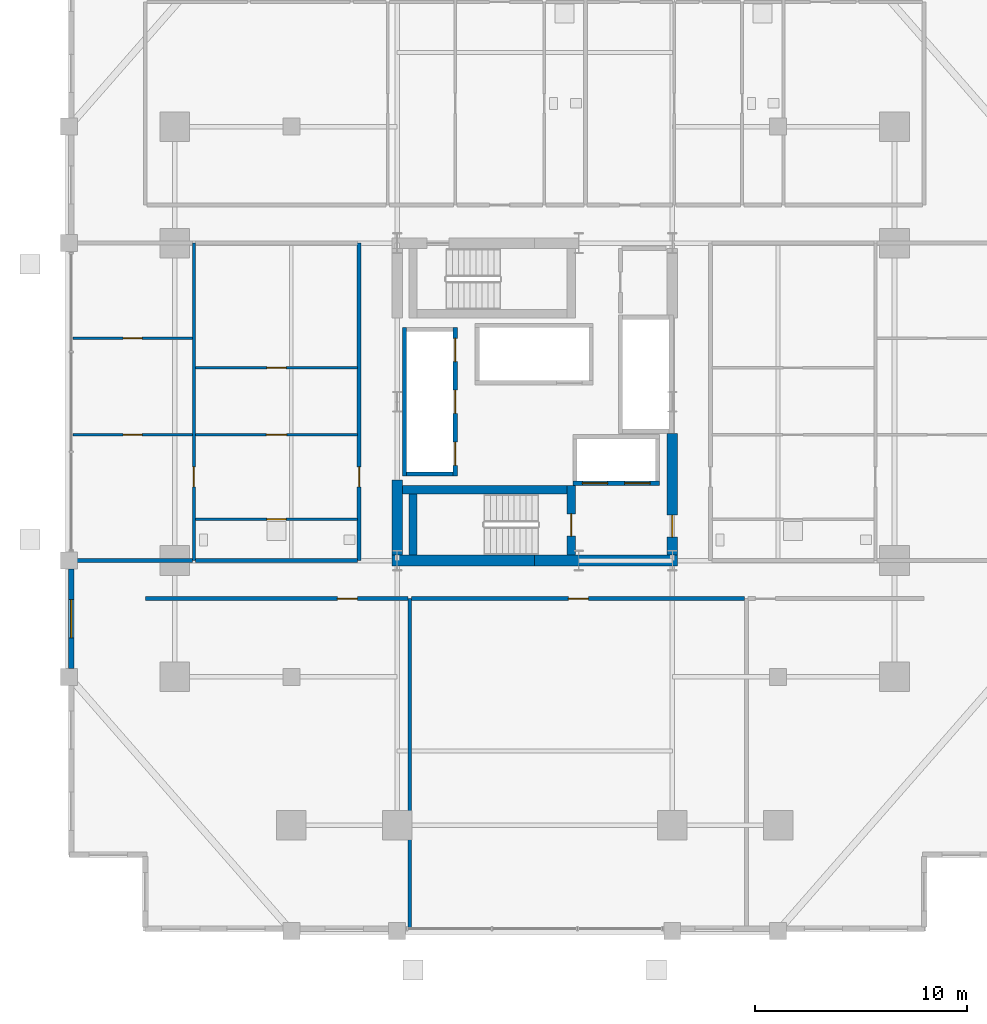
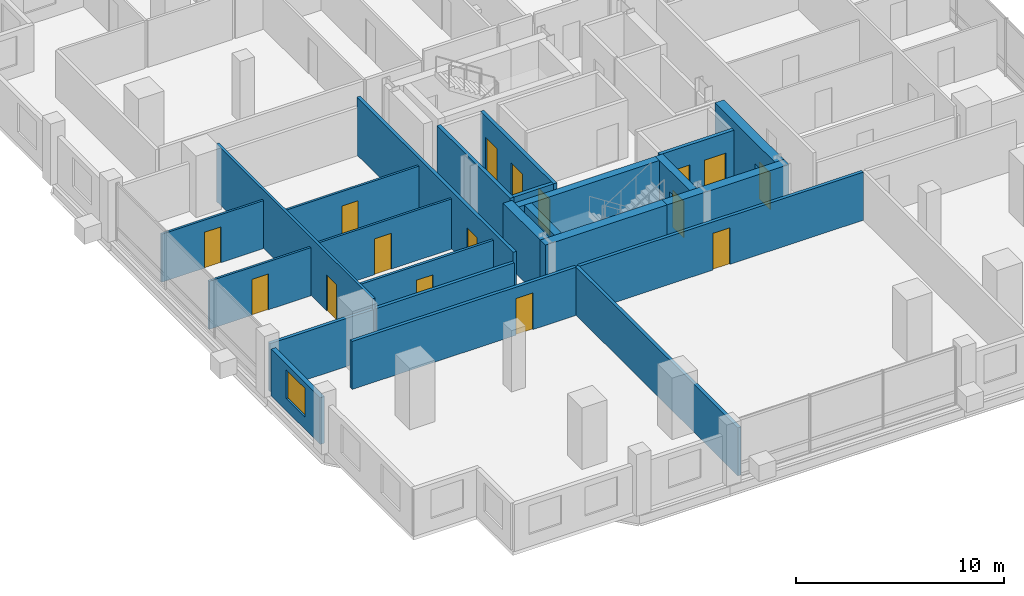
# One storey, part 17 of 23: 24 walls, 16 doors, 1 window, 17 openings.
"""IFC4 building model written with IfcOpenShell, lengths in metres."""

from ifc_helpers import new_model, si_unit, direction, frame, frame_2d, origin, place, context, subcontext, project, spatial, rectangle, extrude, material, layer, layer_set, type_object, element, fill, save


model = new_model("IFC4")

# Units and contexts
model_context = context("Model", 3, precision=1e-05, world=origin(), true_north=direction((0.0, 1.0)))
body_context = subcontext(model_context, "Body", "Model", "MODEL_VIEW")
ifc_project = project(units=[si_unit("LENGTHUNIT", "METRE"), si_unit("AREAUNIT", "SQUARE_METRE"), si_unit("VOLUMEUNIT", "CUBIC_METRE"), si_unit("PLANEANGLEUNIT", "RADIAN"), si_unit("MASSUNIT", "GRAM", prefix="KILO")], contexts=[model_context])

# Site, building, storey
site_placement = place(None, origin())
site = spatial("IfcSite", under=ifc_project, at=site_placement, CompositionType="ELEMENT")
building_placement = place(site_placement, origin())
building = spatial("IfcBuilding", under=site, at=building_placement, Name="Barlavira Tower and Art Museum", CompositionType="ELEMENT")
storey_placement = place(building_placement, frame((0.0, 0.0, 64.800048828125)))
storey = spatial("IfcBuildingStorey", under=building, at=storey_placement, Name="L15", CompositionType="ELEMENT", Elevation=64.800048828125)

# Wall, opening, door
ifc_material_1 = material(Name="Gypsum acoustic stud partition", Category="gypsum")
ifc_layer_1 = layer(ifc_material_1, 0.1201171875, Name="Gypsum acoustic stud partition")
ifc_layer_set_1 = layer_set([ifc_layer_1], Name="Gypsum acoustic stud partition")
wall_type_1 = type_object("IfcWallType", Name="Apartment Internal Acoustic Partition 120", PredefinedType="PARTITIONING", material=ifc_layer_set_1)
wall_1_placement = place(storey_placement, frame((-21.820068359375, -1.550048828125, 0.0), z_axis=(0.0, 0.0, 1.0), x_axis=(1.0, 0.0, 0.0)))
wall_1 = element("IfcWall", 1, at=wall_1_placement, inside=storey, type_object=wall_type_1, Name="L15 Partition Wall 30", PredefinedType="PARTITIONING", context=body_context, shape_type="SweptSolid", body=[
    extrude(rectangle(XDim=5.64013671875, YDim=0.1201171875, at=frame_2d((2.820068359375, 0.0))), origin(), (0.0, 0.0, 1.0), 2.81591796875),
])
opening_1_placement = place(wall_1_placement, frame((2.3701171875, 0.0, 0.0)))
opening_1 = element("IfcOpeningElement", 2, at=opening_1_placement, cuts=wall_1, Name="Opening D-01", PredefinedType="OPENING", context=body_context, shape_type="SweptSolid", body=[
    extrude(rectangle(XDim=0.89990234375, YDim=2.10009765625, at=frame_2d((0.449951171875, 1.050048828125))), frame((0.0, 0.070068359375, 0.0), z_axis=(0.0, -1.0, 0.0), x_axis=(1.0, 0.0, 0.0)), (0.0, 0.0, 1.0), 0.14013671875),
])
ifc_material_2 = material(Name="Engineered coastal hardwood", Category="wood")
door_type_1 = type_object("IfcDoorType", Name="Internal Bedroom Timber Flush Door 900x2100", OperationType="NOTDEFINED", PredefinedType="DOOR", material=ifc_material_2)
door_1_placement = place(opening_1_placement, origin())
door_1 = element("IfcDoor", 3, at=door_1_placement, inside=storey, type_object=door_type_1, Name="Apartment W1 Bedroom 1 Door", OperationType="SINGLE_SWING_LEFT", OverallHeight=2.10009765625, OverallWidth=0.89990234375, PredefinedType="DOOR", context=body_context, shape_type="SweptSolid", body=[
    extrude(rectangle(XDim=0.89990234375, YDim=2.10009765625, at=frame_2d((0.449951171875, 1.050048828125))), frame((0.0, 0.02490234375, 0.0), z_axis=(0.0, -1.0, 0.0), x_axis=(1.0, 0.0, 0.0)), (0.0, 0.0, 1.0), 0.050048828125),
])
fill(opening_1, door_1)

wall_2_placement = place(storey_placement, frame((-16.02001953125, -1.550048828125, 0.0), z_axis=(0.0, 0.0, 1.0), x_axis=(1.0, 0.0, 0.0)))
wall_2 = element("IfcWall", 4, at=wall_2_placement, inside=storey, type_object=wall_type_1, Name="L15 Partition Wall 31", PredefinedType="PARTITIONING", context=body_context, shape_type="SweptSolid", body=[
    extrude(rectangle(XDim=7.64013671875, YDim=0.1201171875, at=frame_2d((3.820068359375, 0.0))), origin(), (0.0, 0.0, 1.0), 2.947998046875),
])
opening_2_placement = place(wall_2_placement, frame((3.344970703125, 0.0, 0.0)))
opening_2 = element("IfcOpeningElement", 5, at=opening_2_placement, cuts=wall_2, Name="Opening D-02", PredefinedType="OPENING", context=body_context, shape_type="SweptSolid", body=[
    extrude(rectangle(XDim=0.949951171875, YDim=2.10009765625, at=frame_2d((0.47509765625, 1.050048828125))), frame((0.0, 0.070068359375, 0.0), z_axis=(0.0, -1.0, 0.0), x_axis=(1.0, 0.0, 0.0)), (0.0, 0.0, 1.0), 0.14013671875),
])
door_type_2 = type_object("IfcDoorType", Name="Living and Salon Glazed-Leaf Door 950x2100", OperationType="NOTDEFINED", PredefinedType="DOOR", material=ifc_material_2)
door_2_placement = place(opening_2_placement, origin())
door_2 = element("IfcDoor", 6, at=door_2_placement, inside=storey, type_object=door_type_2, Name="Apartment W1 Kitchen Door", OperationType="SINGLE_SWING_RIGHT", OverallHeight=2.10009765625, OverallWidth=0.949951171875, PredefinedType="DOOR", context=body_context, shape_type="SweptSolid", body=[
    extrude(rectangle(XDim=0.949951171875, YDim=2.10009765625, at=frame_2d((0.47509765625, 1.050048828125))), frame((0.0, 0.02490234375, 0.0), z_axis=(0.0, -1.0, 0.0), x_axis=(1.0, 0.0, 0.0)), (0.0, 0.0, 1.0), 0.050048828125),
])
fill(opening_2, door_2)

wall_3_placement = place(storey_placement, frame((-16.02001953125, 1.60009765625, 0.0), z_axis=(0.0, 0.0, 1.0), x_axis=(1.0, 0.0, 0.0)))
wall_3 = element("IfcWall", 7, at=wall_3_placement, inside=storey, type_object=wall_type_1, Name="L15 Partition Wall 34", PredefinedType="PARTITIONING", context=body_context, shape_type="SweptSolid", body=[
    extrude(rectangle(XDim=7.64013671875, YDim=0.1201171875, at=frame_2d((3.820068359375, 0.0))), origin(), (0.0, 0.0, 1.0), 2.947998046875),
])
opening_3_placement = place(wall_3_placement, frame((3.3701171875, 0.0, 0.0)))
opening_3 = element("IfcOpeningElement", 8, at=opening_3_placement, cuts=wall_3, Name="Opening D-01", PredefinedType="OPENING", context=body_context, shape_type="SweptSolid", body=[
    extrude(rectangle(XDim=0.89990234375, YDim=2.10009765625, at=frame_2d((0.449951171875, 1.050048828125))), frame((0.0, 0.070068359375, 0.0), z_axis=(0.0, -1.0, 0.0), x_axis=(1.0, 0.0, 0.0)), (0.0, 0.0, 1.0), 0.14013671875),
])
door_3_placement = place(opening_3_placement, origin())
door_3 = element("IfcDoor", 9, at=door_3_placement, inside=storey, type_object=door_type_1, Name="Apartment W1 Walk-In Dressing Room Door", OperationType="SINGLE_SWING_LEFT", OverallHeight=2.10009765625, OverallWidth=0.89990234375, PredefinedType="DOOR", context=body_context, shape_type="SweptSolid", body=[
    extrude(rectangle(XDim=0.89990234375, YDim=2.10009765625, at=frame_2d((0.449951171875, 1.050048828125))), frame((0.0, 0.02490234375, 0.0), z_axis=(0.0, -1.0, 0.0), x_axis=(1.0, 0.0, 0.0)), (0.0, 0.0, 1.0), 0.050048828125),
])
fill(opening_3, door_3)

wall_4_placement = place(storey_placement, frame((-21.820068359375, 3.0, 0.0), z_axis=(0.0, 0.0, 1.0), x_axis=(1.0, 0.0, 0.0)))
wall_4 = element("IfcWall", 10, at=wall_4_placement, inside=storey, type_object=wall_type_1, Name="L15 Partition Wall 36", PredefinedType="PARTITIONING", context=body_context, shape_type="SweptSolid", body=[
    extrude(rectangle(XDim=5.64013671875, YDim=0.1201171875, at=frame_2d((2.820068359375, 0.0))), origin(), (0.0, 0.0, 1.0), 2.81591796875),
])
opening_4_placement = place(wall_4_placement, frame((2.3701171875, 0.0, 0.0)))
opening_4 = element("IfcOpeningElement", 11, at=opening_4_placement, cuts=wall_4, Name="Opening D-01", PredefinedType="OPENING", context=body_context, shape_type="SweptSolid", body=[
    extrude(rectangle(XDim=0.89990234375, YDim=2.10009765625, at=frame_2d((0.449951171875, 1.050048828125))), frame((0.0, 0.070068359375, 0.0), z_axis=(0.0, -1.0, 0.0), x_axis=(1.0, 0.0, 0.0)), (0.0, 0.0, 1.0), 0.14013671875),
])
door_4_placement = place(opening_4_placement, origin())
door_4 = element("IfcDoor", 12, at=door_4_placement, inside=storey, type_object=door_type_1, Name="Apartment W1 Bedroom 2 Door", OperationType="SINGLE_SWING_RIGHT", OverallHeight=2.10009765625, OverallWidth=0.89990234375, PredefinedType="DOOR", context=body_context, shape_type="SweptSolid", body=[
    extrude(rectangle(XDim=0.89990234375, YDim=2.10009765625, at=frame_2d((0.449951171875, 1.050048828125))), frame((0.0, 0.02490234375, 0.0), z_axis=(0.0, -1.0, 0.0), x_axis=(1.0, 0.0, 0.0)), (0.0, 0.0, 1.0), 0.050048828125),
])
fill(opening_4, door_4)

# Walls
ifc_material_3 = material(Name="Concrete C60", Category="concrete")
ifc_layer_2 = layer(ifc_material_3, 0.5, Name="Concrete C60")
ifc_layer_set_2 = layer_set([ifc_layer_2], Name="Concrete C60")
wall_type_2 = type_object("IfcWallType", Name="Core Structural Shear Wall 500 Concrete C60", PredefinedType="SHEAR", material=ifc_layer_set_2)
for number, where, z_axis, x_axis, name in (
    (13, (-6.75, -7.5, 0.0), (0.0, 0.0, 1.0), (1.0, 0.0, 0.0), "L15 Core Shear Wall CS-SW"),
    (14, (0.0, -7.5, 0.0), (0.0, 0.0, 1.0), (1.0, 0.0, 0.0), "L15 Core Shear Wall CS-SE"),
):
    element("IfcWall", number, at=place(storey_placement, frame(where, z_axis=z_axis, x_axis=x_axis)), inside=storey, type_object=wall_type_2, Name=name, PredefinedType="SHEAR", context=body_context, shape_type="SweptSolid", body=[
        extrude(rectangle(XDim=6.75, YDim=0.5, at=frame_2d((3.375, 0.0))), origin(), (0.0, 0.0, 1.0), 3.3798828125),
    ])
wall_5_placement = place(storey_placement, frame((-6.5, -7.25, 0.0), z_axis=(0.0, 0.0, 1.0), x_axis=(0.0, 1.0, 0.0)))
element("IfcWall", 15, at=wall_5_placement, inside=storey, type_object=wall_type_2, Name="L15 Core Shear Wall CS-W1", PredefinedType="SHEAR", context=body_context, shape_type="SweptSolid", body=[
    extrude(rectangle(XDim=3.550048828125, YDim=0.5, at=frame_2d((1.77490234375, 0.0))), origin(), (0.0, 0.0, 1.0), 3.3798828125),
])

# Wall, opening, door
wall_6_placement = place(storey_placement, frame((6.5, -7.25, 0.0), z_axis=(0.0, 0.0, 1.0), x_axis=(0.0, 1.0, 0.0)))
wall_6 = element("IfcWall", 16, at=wall_6_placement, inside=storey, type_object=wall_type_2, Name="L15 Core Shear Wall CS-E1", PredefinedType="SHEAR", context=body_context, shape_type="SweptSolid", body=[
    extrude(rectangle(XDim=5.75, YDim=0.5, at=frame_2d((2.875, 0.0))), origin(), (0.0, 0.0, 1.0), 3.3798828125),
])
opening_5_placement = place(wall_6_placement, frame((0.85009765625, 0.0, 0.0)))
opening_5 = element("IfcOpeningElement", 17, at=opening_5_placement, cuts=wall_6, Name="Opening FD-90", PredefinedType="OPENING", context=body_context, shape_type="SweptSolid", body=[
    extrude(rectangle(XDim=1.050048828125, YDim=2.14990234375, at=frame_2d((0.52490234375, 1.074951171875))), frame((0.0, 0.260009765625, 0.0), z_axis=(0.0, -1.0, 0.0), x_axis=(1.0, 0.0, 0.0)), (0.0, 0.0, 1.0), 0.52001953125),
])
ifc_material_4 = material(Name="Brushed stainless steel", Category="steel")
door_type_3 = type_object("IfcDoorType", Name="Stair and Refuge Fire Door 1050x2150 FD90S", OperationType="NOTDEFINED", PredefinedType="DOOR", material=ifc_material_4)
door_5_placement = place(opening_5_placement, origin())
door_5 = element("IfcDoor", 18, at=door_5_placement, inside=storey, type_object=door_type_3, Name="L15 Firefighting Lobby Entry Fire Door", OperationType="SINGLE_SWING_LEFT", OverallHeight=2.14990234375, OverallWidth=1.050048828125, PredefinedType="DOOR", context=body_context, shape_type="SweptSolid", body=[
    extrude(rectangle(XDim=1.050048828125, YDim=2.14990234375, at=frame_2d((0.52490234375, 1.074951171875))), frame((0.0, 0.02490234375, 0.0), z_axis=(0.0, -1.0, 0.0), x_axis=(1.0, 0.0, 0.0)), (0.0, 0.0, 1.0), 0.050048828125),
])
fill(opening_5, door_5)

# Wall, openings, doors
ifc_material_5 = material(Name="Autoclaved aerated concrete masonry", Category="masonry")
ifc_layer_3 = layer(ifc_material_5, 0.199951171875, Name="Autoclaved aerated concrete masonry")
ifc_layer_set_3 = layer_set([ifc_layer_3], Name="Autoclaved aerated concrete masonry")
wall_type_3 = type_object("IfcWallType", Name="Fire Compartment and Shaft Wall 200", PredefinedType="SOLIDWALL", material=ifc_layer_set_3)
wall_7_placement = place(storey_placement, frame((-3.75, -3.510009765625, 0.0), z_axis=(0.0, 0.0, 1.0), x_axis=(0.0, 1.0, 0.0)))
wall_7 = element("IfcWall", 19, at=wall_7_placement, inside=storey, type_object=wall_type_3, Name="L15 Low-Rise Lift Front Shaft Wall", PredefinedType="SOLIDWALL", context=body_context, shape_type="SweptSolid", body=[
    extrude(rectangle(XDim=7.02001953125, YDim=0.199951171875, at=frame_2d((3.510009765625, 0.0))), origin(), (0.0, 0.0, 1.0), 3.3798828125),
])
opening_6_placement = place(wall_7_placement, frame((0.510009765625, 0.0, 0.0)))
opening_6 = element("IfcOpeningElement", 20, at=opening_6_placement, cuts=wall_7, Name="Opening LD-P", PredefinedType="OPENING", context=body_context, shape_type="SweptSolid", body=[
    extrude(rectangle(XDim=1.10009765625, YDim=2.14990234375, at=frame_2d((0.550048828125, 1.074951171875))), frame((0.0, 0.10986328125, 0.0), z_axis=(0.0, -1.0, 0.0), x_axis=(1.0, 0.0, 0.0)), (0.0, 0.0, 1.0), 0.219970703125),
])
opening_7_placement = place(wall_7_placement, frame((2.9599609375, 0.0, 0.0)))
opening_7 = element("IfcOpeningElement", 21, at=opening_7_placement, cuts=wall_7, Name="Opening LD-P", PredefinedType="OPENING", context=body_context, shape_type="SweptSolid", body=[
    extrude(rectangle(XDim=1.10009765625, YDim=2.14990234375, at=frame_2d((0.550048828125, 1.074951171875))), frame((0.0, 0.10986328125, 0.0), z_axis=(0.0, -1.0, 0.0), x_axis=(1.0, 0.0, 0.0)), (0.0, 0.0, 1.0), 0.219970703125),
])
opening_8_placement = place(wall_7_placement, frame((5.409912109375, 0.0, 0.0)))
opening_8 = element("IfcOpeningElement", 22, at=opening_8_placement, cuts=wall_7, Name="Opening LD-P", PredefinedType="OPENING", context=body_context, shape_type="SweptSolid", body=[
    extrude(rectangle(XDim=1.10009765625, YDim=2.14990234375, at=frame_2d((0.550048828125, 1.074951171875))), frame((0.0, 0.10986328125, 0.0), z_axis=(0.0, -1.0, 0.0), x_axis=(1.0, 0.0, 0.0)), (0.0, 0.0, 1.0), 0.219970703125),
])
door_type_4 = type_object("IfcDoorType", Name="Passenger Lift Sliding Landing Door 1100x2150 FD60", OperationType="NOTDEFINED", PredefinedType="DOOR", material=ifc_material_4)
door_6_placement = place(opening_6_placement, origin())
door_6 = element("IfcDoor", 23, at=door_6_placement, inside=storey, type_object=door_type_4, Name="L15 Lift PL1 Sliding Landing Door", OperationType="DOUBLE_DOOR_SLIDING", OverallHeight=2.14990234375, OverallWidth=1.10009765625, PredefinedType="DOOR", context=body_context, shape_type="SweptSolid", body=[
    extrude(rectangle(XDim=1.10009765625, YDim=2.14990234375, at=frame_2d((0.550048828125, 1.074951171875))), frame((0.0, 0.02490234375, 0.0), z_axis=(0.0, -1.0, 0.0), x_axis=(1.0, 0.0, 0.0)), (0.0, 0.0, 1.0), 0.050048828125),
])
fill(opening_6, door_6)
door_7_placement = place(opening_7_placement, origin())
door_7 = element("IfcDoor", 24, at=door_7_placement, inside=storey, type_object=door_type_4, Name="L15 Lift PL2 Sliding Landing Door", OperationType="DOUBLE_DOOR_SLIDING", OverallHeight=2.14990234375, OverallWidth=1.10009765625, PredefinedType="DOOR", context=body_context, shape_type="SweptSolid", body=[
    extrude(rectangle(XDim=1.10009765625, YDim=2.14990234375, at=frame_2d((0.550048828125, 1.074951171875))), frame((0.0, 0.02490234375, 0.0), z_axis=(0.0, -1.0, 0.0), x_axis=(1.0, 0.0, 0.0)), (0.0, 0.0, 1.0), 0.050048828125),
])
fill(opening_7, door_7)
door_8_placement = place(opening_8_placement, origin())
door_8 = element("IfcDoor", 25, at=door_8_placement, inside=storey, type_object=door_type_4, Name="L15 Lift PL3 Sliding Landing Door", OperationType="DOUBLE_DOOR_SLIDING", OverallHeight=2.14990234375, OverallWidth=1.10009765625, PredefinedType="DOOR", context=body_context, shape_type="SweptSolid", body=[
    extrude(rectangle(XDim=1.10009765625, YDim=2.14990234375, at=frame_2d((0.550048828125, 1.074951171875))), frame((0.0, 0.02490234375, 0.0), z_axis=(0.0, -1.0, 0.0), x_axis=(1.0, 0.0, 0.0)), (0.0, 0.0, 1.0), 0.050048828125),
])
fill(opening_8, door_8)

# Walls
wall_8_placement = place(storey_placement, frame((-6.14990234375, -3.510009765625, 0.0), z_axis=(0.0, 0.0, 1.0), x_axis=(0.0, 1.0, 0.0)))
element("IfcWall", 26, at=wall_8_placement, inside=storey, type_object=wall_type_3, Name="L15 Low-Rise Lift Back Shaft Wall", PredefinedType="SOLIDWALL", context=body_context, shape_type="SweptSolid", body=[
    extrude(rectangle(XDim=7.02001953125, YDim=0.199951171875, at=frame_2d((3.510009765625, 0.0))), origin(), (0.0, 0.0, 1.0), 3.3798828125),
])
wall_9_placement = place(storey_placement, frame((-6.050048828125, -3.409912109375, 0.0), z_axis=(0.0, 0.0, 1.0), x_axis=(1.0, 0.0, 0.0)))
element("IfcWall", 27, at=wall_9_placement, inside=storey, type_object=wall_type_3, Name="L15 Low-Rise Lift South Shaft Wall", PredefinedType="SOLIDWALL", context=body_context, shape_type="SweptSolid", body=[
    extrude(rectangle(XDim=2.199951171875, YDim=0.199951171875, at=frame_2d((1.10009765625, 0.0))), origin(), (0.0, 0.0, 1.0), 3.3798828125),
])

# Wall, openings, doors
wall_10_placement = place(storey_placement, frame((1.800048828125, -3.85009765625, 0.0), z_axis=(0.0, 0.0, 1.0), x_axis=(1.0, 0.0, 0.0)))
wall_10 = element("IfcWall", 28, at=wall_10_placement, inside=storey, type_object=wall_type_3, Name="L15 Firefighting Lift Front Shaft Wall", PredefinedType="SOLIDWALL", context=body_context, shape_type="SweptSolid", body=[
    extrude(rectangle(XDim=4.099853515625, YDim=0.199951171875, at=frame_2d((2.0498046875, 0.0))), origin(), (0.0, 0.0, 1.0), 3.3798828125),
])
opening_9_placement = place(wall_10_placement, frame((0.449951171875, 0.0, 0.0)))
opening_9 = element("IfcOpeningElement", 29, at=opening_9_placement, cuts=wall_10, Name="Opening LD-F", PredefinedType="OPENING", context=body_context, shape_type="SweptSolid", body=[
    extrude(rectangle(XDim=1.199951171875, YDim=2.199951171875, at=frame_2d((0.60009765625, 1.10009765625))), frame((0.0, 0.10986328125, 0.0), z_axis=(0.0, -1.0, 0.0), x_axis=(1.0, 0.0, 0.0)), (0.0, 0.0, 1.0), 0.219970703125),
])
opening_10_placement = place(wall_10_placement, frame((2.449951171875, 0.0, 0.0)))
opening_10 = element("IfcOpeningElement", 30, at=opening_10_placement, cuts=wall_10, Name="Opening LD-F", PredefinedType="OPENING", context=body_context, shape_type="SweptSolid", body=[
    extrude(rectangle(XDim=1.199951171875, YDim=2.199951171875, at=frame_2d((0.60009765625, 1.10009765625))), frame((0.0, 0.10986328125, 0.0), z_axis=(0.0, -1.0, 0.0), x_axis=(1.0, 0.0, 0.0)), (0.0, 0.0, 1.0), 0.219970703125),
])
door_type_5 = type_object("IfcDoorType", Name="Firefighting and Service Lift Sliding Door 1200x2200 FD120", OperationType="NOTDEFINED", PredefinedType="DOOR", material=ifc_material_4)
door_9_placement = place(opening_9_placement, origin())
door_9 = element("IfcDoor", 31, at=door_9_placement, inside=storey, type_object=door_type_5, Name="L15 Firefighting Lift FF1 Sliding Door", OperationType="DOUBLE_DOOR_SLIDING", OverallHeight=2.199951171875, OverallWidth=1.199951171875, PredefinedType="DOOR", context=body_context, shape_type="SweptSolid", body=[
    extrude(rectangle(XDim=1.199951171875, YDim=2.199951171875, at=frame_2d((0.60009765625, 1.10009765625))), frame((0.0, 0.02490234375, 0.0), z_axis=(0.0, -1.0, 0.0), x_axis=(1.0, 0.0, 0.0)), (0.0, 0.0, 1.0), 0.050048828125),
])
fill(opening_9, door_9)
door_10_placement = place(opening_10_placement, origin())
door_10 = element("IfcDoor", 32, at=door_10_placement, inside=storey, type_object=door_type_5, Name="L15 Firefighting Lift FF2 Sliding Door", OperationType="DOUBLE_DOOR_SLIDING", OverallHeight=2.199951171875, OverallWidth=1.199951171875, PredefinedType="DOOR", context=body_context, shape_type="SweptSolid", body=[
    extrude(rectangle(XDim=1.199951171875, YDim=2.199951171875, at=frame_2d((0.60009765625, 1.10009765625))), frame((0.0, 0.02490234375, 0.0), z_axis=(0.0, -1.0, 0.0), x_axis=(1.0, 0.0, 0.0)), (0.0, 0.0, 1.0), 0.050048828125),
])
fill(opening_10, door_10)

# Wall, opening, door
ifc_layer_4 = layer(ifc_material_1, 0.179931640625, Name="Gypsum acoustic stud partition")
ifc_layer_set_4 = layer_set([ifc_layer_4], Name="Gypsum acoustic stud partition")
wall_type_4 = type_object("IfcWallType", Name="Inter-Tenancy Party Partition Wall 180", PredefinedType="PARTITIONING", material=ifc_layer_set_4)
wall_11_placement = place(storey_placement, frame((-8.300048828125, -7.5, 0.0), z_axis=(0.0, 0.0, 1.0), x_axis=(0.0, 1.0, 0.0)))
wall_11 = element("IfcWall", 33, at=wall_11_placement, inside=storey, type_object=wall_type_4, Name="L15 Partition Wall 5", PredefinedType="PARTITIONING", context=body_context, shape_type="SweptSolid", body=[
    extrude(rectangle(XDim=15.0, YDim=0.179931640625, at=frame_2d((7.5, 0.0))), origin(), (0.0, 0.0, 1.0), 3.3798828125),
])
opening_11_placement = place(wall_11_placement, frame((3.47509765625, 0.0, 0.0)))
opening_11 = element("IfcOpeningElement", 34, at=opening_11_placement, cuts=wall_11, Name="Opening FD-60", PredefinedType="OPENING", context=body_context, shape_type="SweptSolid", body=[
    extrude(rectangle(XDim=0.949951171875, YDim=2.14990234375, at=frame_2d((0.47509765625, 1.074951171875))), frame((0.0, 0.10009765625, 0.0), z_axis=(0.0, -1.0, 0.0), x_axis=(1.0, 0.0, 0.0)), (0.0, 0.0, 1.0), 0.199951171875),
])
door_type_6 = type_object("IfcDoorType", Name="Apartment Entrance and Riser Fire Door 950x2150 FD60S", OperationType="NOTDEFINED", PredefinedType="DOOR", material=ifc_material_4)
door_11_placement = place(opening_11_placement, origin())
door_11 = element("IfcDoor", 35, at=door_11_placement, inside=storey, type_object=door_type_6, Name="Apartment Entrance Hall W1 Door", OperationType="SINGLE_SWING_LEFT", OverallHeight=2.14990234375, OverallWidth=0.949951171875, PredefinedType="DOOR", context=body_context, shape_type="SweptSolid", body=[
    extrude(rectangle(XDim=0.949951171875, YDim=2.14990234375, at=frame_2d((0.47509765625, 1.074951171875))), frame((0.0, 0.02490234375, 0.0), z_axis=(0.0, -1.0, 0.0), x_axis=(1.0, 0.0, 0.0)), (0.0, 0.0, 1.0), 0.050048828125),
])
fill(opening_11, door_11)

# Wall
wall_12_placement = place(storey_placement, frame((-5.89990234375, -24.89990234375, 0.0), z_axis=(0.0, 0.0, 1.0), x_axis=(0.0, 1.0, 0.0)))
element("IfcWall", 36, at=wall_12_placement, inside=storey, type_object=wall_type_4, Name="L15 Partition Wall 7", PredefinedType="PARTITIONING", context=body_context, shape_type="SweptSolid", body=[
    extrude(rectangle(XDim=15.599853515625, YDim=0.179931640625, at=frame_2d((7.7998046875, 0.0))), origin(), (0.0, 0.0, 1.0), 2.81591796875),
])

# Wall, opening, door
wall_13_placement = place(storey_placement, frame((-18.39990234375, -9.300048828125, 0.0), z_axis=(0.0, 0.0, 1.0), x_axis=(1.0, 0.0, 0.0)))
wall_13 = element("IfcWall", 37, at=wall_13_placement, inside=storey, type_object=wall_type_4, Name="L15 Partition Wall 21", PredefinedType="PARTITIONING", context=body_context, shape_type="SweptSolid", body=[
    extrude(rectangle(XDim=12.419921875, YDim=0.179931640625, at=frame_2d((6.2099609375, 0.0))), origin(), (0.0, 0.0, 1.0), 2.81591796875),
])
opening_12_placement = place(wall_13_placement, frame((9.074951171875, 0.0, 0.0)))
opening_12 = element("IfcOpeningElement", 38, at=opening_12_placement, cuts=wall_13, Name="Opening FD-60", PredefinedType="OPENING", context=body_context, shape_type="SweptSolid", body=[
    extrude(rectangle(XDim=0.949951171875, YDim=2.14990234375, at=frame_2d((0.47509765625, 1.074951171875))), frame((0.0, 0.10009765625, 0.0), z_axis=(0.0, -1.0, 0.0), x_axis=(1.0, 0.0, 0.0)), (0.0, 0.0, 1.0), 0.199951171875),
])
door_12_placement = place(opening_12_placement, origin())
door_12 = element("IfcDoor", 39, at=door_12_placement, inside=storey, type_object=door_type_6, Name="Resident Sky Coworking Studio Door", OperationType="SINGLE_SWING_LEFT", OverallHeight=2.14990234375, OverallWidth=0.949951171875, PredefinedType="DOOR", context=body_context, shape_type="SweptSolid", body=[
    extrude(rectangle(XDim=0.949951171875, YDim=2.14990234375, at=frame_2d((0.47509765625, 1.074951171875))), frame((0.0, 0.02490234375, 0.0), z_axis=(0.0, -1.0, 0.0), x_axis=(1.0, 0.0, 0.0)), (0.0, 0.0, 1.0), 0.050048828125),
])
fill(opening_12, door_12)

wall_14_placement = place(storey_placement, frame((-5.820068359375, -9.300048828125, 0.0), z_axis=(0.0, 0.0, 1.0), x_axis=(1.0, 0.0, 0.0)))
wall_14 = element("IfcWall", 40, at=wall_14_placement, inside=storey, type_object=wall_type_4, Name="L15 Partition Wall 22", PredefinedType="PARTITIONING", context=body_context, shape_type="SweptSolid", body=[
    extrude(rectangle(XDim=15.739990234375, YDim=0.179931640625, at=frame_2d((7.8701171875, 0.0))), origin(), (0.0, 0.0, 1.0), 2.81591796875),
])
opening_13_placement = place(wall_14_placement, frame((7.405029296875, 0.0, 0.0)))
opening_13 = element("IfcOpeningElement", 41, at=opening_13_placement, cuts=wall_14, Name="Opening FD-60", PredefinedType="OPENING", context=body_context, shape_type="SweptSolid", body=[
    extrude(rectangle(XDim=0.949951171875, YDim=2.14990234375, at=frame_2d((0.47509765625, 1.074951171875))), frame((0.0, 0.10009765625, 0.0), z_axis=(0.0, -1.0, 0.0), x_axis=(1.0, 0.0, 0.0)), (0.0, 0.0, 1.0), 0.199951171875),
])
door_13_placement = place(opening_13_placement, origin())
door_13 = element("IfcDoor", 42, at=door_13_placement, inside=storey, type_object=door_type_6, Name="Atlantic Horizon Boardroom Door", OperationType="SINGLE_SWING_RIGHT", OverallHeight=2.14990234375, OverallWidth=0.949951171875, PredefinedType="DOOR", context=body_context, shape_type="SweptSolid", body=[
    extrude(rectangle(XDim=0.949951171875, YDim=2.14990234375, at=frame_2d((0.47509765625, 1.074951171875))), frame((0.0, 0.02490234375, 0.0), z_axis=(0.0, -1.0, 0.0), x_axis=(1.0, 0.0, 0.0)), (0.0, 0.0, 1.0), 0.050048828125),
])
fill(opening_13, door_13)

# Walls
wall_15_placement = place(storey_placement, frame((-21.89990234375, -7.5, 0.0), z_axis=(0.0, 0.0, 1.0), x_axis=(1.0, 0.0, 0.0)))
element("IfcWall", 43, at=wall_15_placement, inside=storey, type_object=wall_type_4, Name="L15 Partition Wall 24", PredefinedType="PARTITIONING", context=body_context, shape_type="SweptSolid", body=[
    extrude(rectangle(XDim=5.719970703125, YDim=0.179931640625, at=frame_2d((2.85986328125, 0.0))), origin(), (0.0, 0.0, 1.0), 2.81591796875),
])
wall_16_placement = place(storey_placement, frame((-16.02001953125, -7.5, 0.0), z_axis=(0.0, 0.0, 1.0), x_axis=(1.0, 0.0, 0.0)))
element("IfcWall", 44, at=wall_16_placement, inside=storey, type_object=wall_type_4, Name="L15 Partition Wall 25", PredefinedType="PARTITIONING", context=body_context, shape_type="SweptSolid", body=[
    extrude(rectangle(XDim=7.64013671875, YDim=0.179931640625, at=frame_2d((3.820068359375, 0.0))), origin(), (0.0, 0.0, 1.0), 2.81591796875),
])

# Wall, opening, door
ifc_layer_5 = layer(ifc_material_1, 0.139892578125, Name="Gypsum acoustic stud partition")
ifc_layer_set_5 = layer_set([ifc_layer_5], Name="Gypsum acoustic stud partition")
wall_type_5 = type_object("IfcWallType", Name="Moisture-Resistant Bathroom Partition 140", PredefinedType="PARTITIONING", material=ifc_layer_set_5)
wall_17_placement = place(storey_placement, frame((-16.10009765625, -7.5, 0.0), z_axis=(0.0, 0.0, 1.0), x_axis=(0.0, 1.0, 0.0)))
wall_17 = element("IfcWall", 45, at=wall_17_placement, inside=storey, type_object=wall_type_5, Name="L15 Partition Wall 2", PredefinedType="PARTITIONING", context=body_context, shape_type="SweptSolid", body=[
    extrude(rectangle(XDim=15.0, YDim=0.139892578125, at=frame_2d((7.5, 0.0))), origin(), (0.0, 0.0, 1.0), 3.3798828125),
])
opening_14_placement = place(wall_17_placement, frame((3.47509765625, 0.0, 0.0)))
opening_14 = element("IfcOpeningElement", 46, at=opening_14_placement, cuts=wall_17, Name="Opening D-02", PredefinedType="OPENING", context=body_context, shape_type="SweptSolid", body=[
    extrude(rectangle(XDim=0.949951171875, YDim=2.10009765625, at=frame_2d((0.47509765625, 1.050048828125))), frame((0.0, 0.080078125, 0.0), z_axis=(0.0, -1.0, 0.0), x_axis=(1.0, 0.0, 0.0)), (0.0, 0.0, 1.0), 0.159912109375),
])
door_14_placement = place(opening_14_placement, origin())
door_14 = element("IfcDoor", 47, at=door_14_placement, inside=storey, type_object=door_type_2, Name="Apartment W1 Living Lounge Door", OperationType="SINGLE_SWING_RIGHT", OverallHeight=2.10009765625, OverallWidth=0.949951171875, PredefinedType="DOOR", context=body_context, shape_type="SweptSolid", body=[
    extrude(rectangle(XDim=0.949951171875, YDim=2.10009765625, at=frame_2d((0.47509765625, 1.050048828125))), frame((0.0, 0.02490234375, 0.0), z_axis=(0.0, -1.0, 0.0), x_axis=(1.0, 0.0, 0.0)), (0.0, 0.0, 1.0), 0.050048828125),
])
fill(opening_14, door_14)

wall_18_placement = place(storey_placement, frame((-16.02001953125, -5.550048828125, 0.0), z_axis=(0.0, 0.0, 1.0), x_axis=(1.0, 0.0, 0.0)))
wall_18 = element("IfcWall", 48, at=wall_18_placement, inside=storey, type_object=wall_type_5, Name="L15 Partition Wall 28", PredefinedType="PARTITIONING", context=body_context, shape_type="SweptSolid", body=[
    extrude(rectangle(XDim=7.64013671875, YDim=0.139892578125, at=frame_2d((3.820068359375, 0.0))), origin(), (0.0, 0.0, 1.0), 2.947998046875),
])
opening_15_placement = place(wall_18_placement, frame((3.3701171875, 0.0, 0.0)))
opening_15 = element("IfcOpeningElement", 49, at=opening_15_placement, cuts=wall_18, Name="Opening D-WC", PredefinedType="OPENING", context=body_context, shape_type="SweptSolid", body=[
    extrude(rectangle(XDim=0.89990234375, YDim=2.10009765625, at=frame_2d((0.449951171875, 1.050048828125))), frame((0.0, 0.080078125, 0.0), z_axis=(0.0, -1.0, 0.0), x_axis=(1.0, 0.0, 0.0)), (0.0, 0.0, 1.0), 0.159912109375),
])
door_type_7 = type_object("IfcDoorType", Name="Accessible Bathroom Flush Door 900x2100", OperationType="NOTDEFINED", PredefinedType="DOOR", material=ifc_material_2)
door_15_placement = place(opening_15_placement, origin())
door_15 = element("IfcDoor", 50, at=door_15_placement, inside=storey, type_object=door_type_7, Name="Apartment W1 Hall Bathroom Door", OperationType="SINGLE_SWING_RIGHT", OverallHeight=2.10009765625, OverallWidth=0.89990234375, PredefinedType="DOOR", context=body_context, shape_type="SweptSolid", body=[
    extrude(rectangle(XDim=0.89990234375, YDim=2.10009765625, at=frame_2d((0.449951171875, 1.050048828125))), frame((0.0, 0.02490234375, 0.0), z_axis=(0.0, -1.0, 0.0), x_axis=(1.0, 0.0, 0.0)), (0.0, 0.0, 1.0), 0.050048828125),
])
fill(opening_15, door_15)

# Wall, opening, window
ifc_material_6 = material(Name="Precast concrete C40", Category="concrete")
ifc_layer_6 = layer(ifc_material_6, 0.25, Name="Precast concrete C40")
ifc_layer_set_6 = layer_set([ifc_layer_6], Name="Precast concrete C40")
wall_type_6 = type_object("IfcWallType", Name="Notched Corner Spandrel Wall 250 Precast Concrete C40", PredefinedType="SOLIDWALL", material=ifc_layer_set_6)
wall_19_placement = place(storey_placement, frame((-21.89990234375, -7.89501953125, 0.0), z_axis=(0.0, 0.0, 1.0), x_axis=(0.0, -1.0, 0.0)))
wall_19 = element("IfcWall", 51, at=wall_19_placement, inside=storey, type_object=wall_type_6, Name="L15 Coastal Facade Pier Wall CW1-L15-W-4", PredefinedType="SOLIDWALL", context=body_context, shape_type="SweptSolid", body=[
    extrude(rectangle(XDim=4.7099609375, YDim=0.25, at=frame_2d((2.35498046875, 0.0))), origin(), (0.0, 0.0, 1.0), 2.73583984375),
])
opening_16_placement = place(wall_19_placement, frame((1.455078125, 0.0, 0.719970703125)))
opening_16 = element("IfcOpeningElement", 52, at=opening_16_placement, cuts=wall_19, Name="Opening WN-01", PredefinedType="OPENING", context=body_context, shape_type="SweptSolid", body=[
    extrude(rectangle(XDim=1.800048828125, YDim=1.679931640625, at=frame_2d((0.89990234375, 0.83984375))), frame((0.0, 0.135009765625, 0.0), z_axis=(0.0, -1.0, 0.0), x_axis=(1.0, 0.0, 0.0)), (0.0, 0.0, 1.0), 0.27001953125),
])
ifc_material_7 = material(Name="Low-iron coastal laminated glass", Category="glass")
window_type = type_object("IfcWindowType", Name="Recessed Notch Corner Punch Window 1800x1680", PartitioningType="SINGLE_PANEL", PredefinedType="WINDOW", material=ifc_material_7)
window_placement = place(opening_16_placement, origin())
window = element("IfcWindow", 53, at=window_placement, inside=storey, type_object=window_type, Name="L15 Punched Facade Window EWP-CW1-L15-W-4-1", OverallHeight=1.679931640625, OverallWidth=1.800048828125, PartitioningType="SINGLE_PANEL", PredefinedType="WINDOW", context=body_context, shape_type="SweptSolid", body=[
    extrude(rectangle(XDim=1.800048828125, YDim=1.679931640625, at=frame_2d((0.89990234375, 0.83984375))), frame((0.0, 0.030029296875, 0.0), z_axis=(0.0, -1.0, 0.0), x_axis=(1.0, 0.0, 0.0)), (0.0, 0.0, 1.0), 0.06005859375),
])
fill(opening_16, window)

# Walls
ifc_material_8 = material(Name="Concrete C55", Category="concrete")
ifc_layer_7 = layer(ifc_material_8, 0.39990234375, Name="Concrete C55")
ifc_layer_set_7 = layer_set([ifc_layer_7], Name="Concrete C55")
wall_type_7 = type_object("IfcWallType", Name="Upper Core Shear Wall 400 Concrete C55", PredefinedType="SHEAR", material=ifc_layer_set_7)
wall_20_placement = place(storey_placement, frame((-5.75, -7.25, 0.0), z_axis=(0.0, 0.0, 1.0), x_axis=(0.0, 1.0, 0.0)))
element("IfcWall", 54, at=wall_20_placement, inside=storey, type_object=wall_type_7, Name="L15 ST-T1 West Half-Landing Wall", PredefinedType="SHEAR", context=body_context, shape_type="SweptSolid", body=[
    extrude(rectangle(XDim=2.89990234375, YDim=0.39990234375, at=frame_2d((1.449951171875, 0.0))), origin(), (0.0, 0.0, 1.0), 3.3798828125),
])
wall_21_placement = place(storey_placement, frame((-6.25, -4.14990234375, 0.0), z_axis=(0.0, 0.0, 1.0), x_axis=(1.0, 0.0, 0.0)))
element("IfcWall", 55, at=wall_21_placement, inside=storey, type_object=wall_type_7, Name="L15 ST-T1 North Shaft Wall", PredefinedType="SHEAR", context=body_context, shape_type="SweptSolid", body=[
    extrude(rectangle(XDim=7.780029296875, YDim=0.39990234375, at=frame_2d((3.89013671875, 0.0))), origin(), (0.0, 0.0, 1.0), 3.3798828125),
])

# Wall, opening, door
wall_22_placement = place(storey_placement, frame((1.72998046875, -7.25, 0.0), z_axis=(0.0, 0.0, 1.0), x_axis=(0.0, 1.0, 0.0)))
wall_22 = element("IfcWall", 56, at=wall_22_placement, inside=storey, type_object=wall_type_7, Name="L15 ST-T1 East Landing Wall", PredefinedType="SHEAR", context=body_context, shape_type="SweptSolid", body=[
    extrude(rectangle(XDim=3.300048828125, YDim=0.39990234375, at=frame_2d((1.64990234375, 0.0))), origin(), (0.0, 0.0, 1.0), 3.3798828125),
])
opening_17_placement = place(wall_22_placement, frame((0.89990234375, 0.0, 0.0)))
opening_17 = element("IfcOpeningElement", 57, at=opening_17_placement, cuts=wall_22, Name="Opening FD-90", PredefinedType="OPENING", context=body_context, shape_type="SweptSolid", body=[
    extrude(rectangle(XDim=1.050048828125, YDim=2.14990234375, at=frame_2d((0.52490234375, 1.074951171875))), frame((0.0, 0.2099609375, 0.0), z_axis=(0.0, -1.0, 0.0), x_axis=(1.0, 0.0, 0.0)), (0.0, 0.0, 1.0), 0.419921875),
])
door_16_placement = place(opening_17_placement, origin())
door_16 = element("IfcDoor", 58, at=door_16_placement, inside=storey, type_object=door_type_3, Name="L15 Stair ST-T1 Fire Door", OperationType="SINGLE_SWING_RIGHT", OverallHeight=2.14990234375, OverallWidth=1.050048828125, PredefinedType="DOOR", context=body_context, shape_type="SweptSolid", body=[
    extrude(rectangle(XDim=1.050048828125, YDim=2.14990234375, at=frame_2d((0.52490234375, 1.074951171875))), frame((0.0, 0.02490234375, 0.0), z_axis=(0.0, -1.0, 0.0), x_axis=(1.0, 0.0, 0.0)), (0.0, 0.0, 1.0), 0.050048828125),
])
fill(opening_17, door_16)

save(model, "model.ifc")
